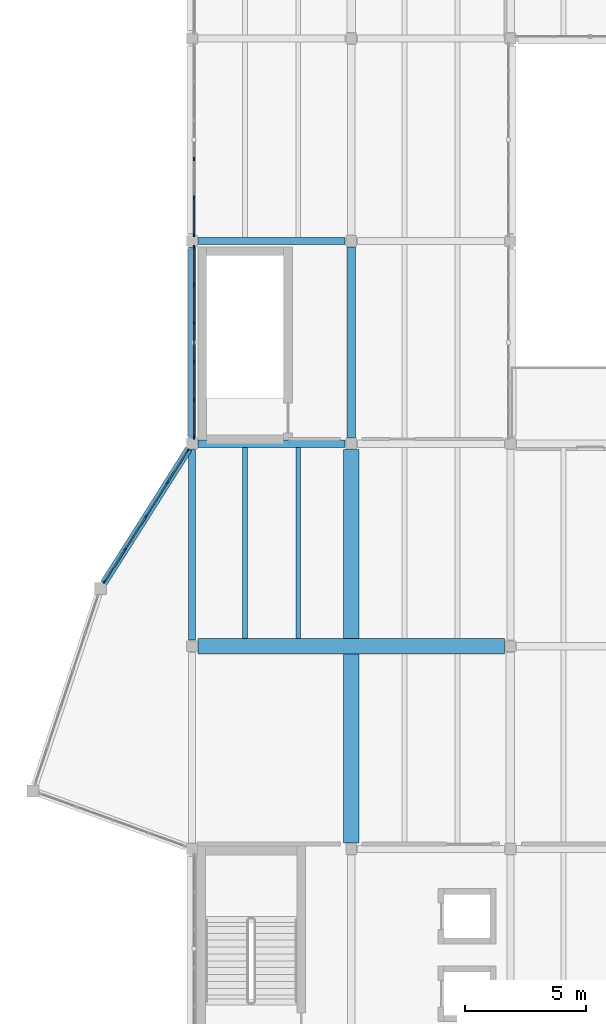
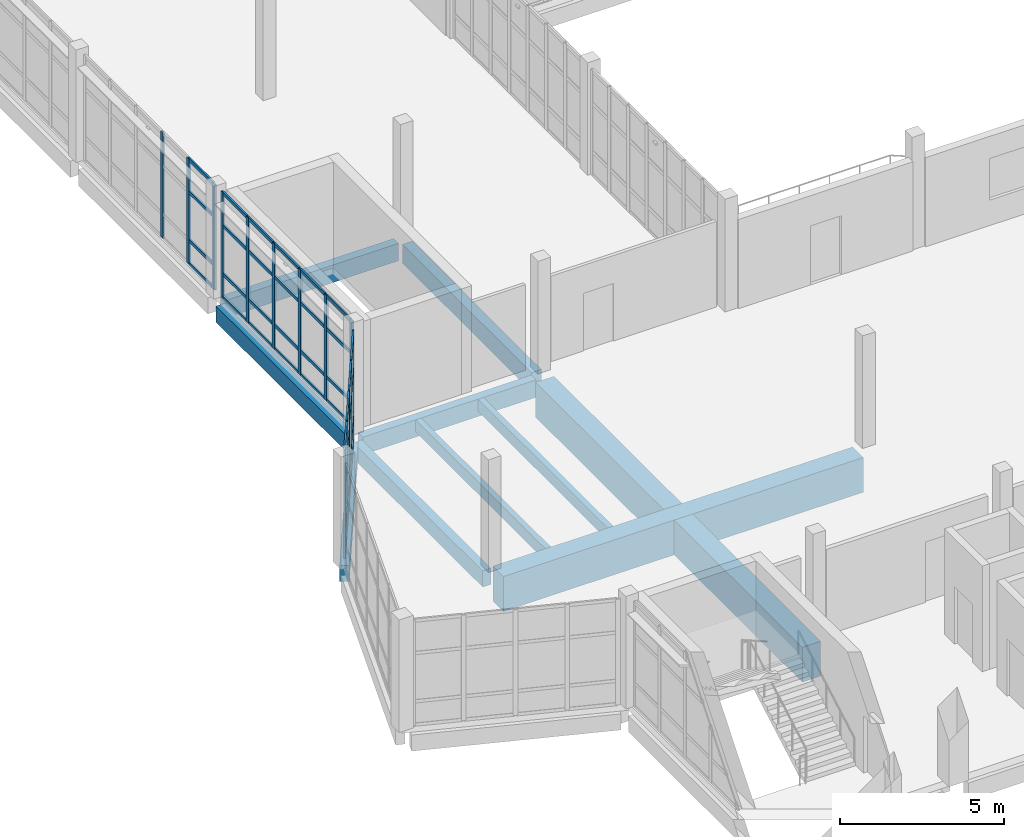
# One storey, part 25 of 74: 54 members, 10 beams, 3 elements without a shape of their own.
"""IFC4 building model written with IfcOpenShell, lengths in metres."""

from ifc_helpers import new_model, si_unit, direction, frame, origin, origin_2d, place, context, subcontext, project, spatial, rectangle, extrude, material, material_profile, profile_set, type_object, element, aggregate, save


model = new_model("IFC4")

# Units and contexts
model_context = context("Model", 3, precision=1e-05, world=origin(), true_north=direction((0.0, 1.0)))
body_context = subcontext(model_context, "Body", "Model", "MODEL_VIEW")
ifc_project = project(units=[si_unit("LENGTHUNIT", "METRE"), si_unit("AREAUNIT", "SQUARE_METRE"), si_unit("VOLUMEUNIT", "CUBIC_METRE"), si_unit("PLANEANGLEUNIT", "RADIAN"), si_unit("MASSUNIT", "GRAM", prefix="KILO")], contexts=[model_context])

# Site, building, storey
site_placement = place(None, origin())
site = spatial("IfcSite", under=ifc_project, at=site_placement, CompositionType="ELEMENT")
building_placement = place(site_placement, origin())
building = spatial("IfcBuilding", under=site, at=building_placement, Name="Qaldarim Faculty of Natural and Applied Sciences", CompositionType="ELEMENT")
storey_placement = place(building_placement, frame((0.0, 0.0, 14.39990234375)))
storey = spatial("IfcBuildingStorey", under=building, at=storey_placement, Name="L03", CompositionType="ELEMENT", Elevation=14.39990234375)

# Beams
ifc_material_1 = material(Name="Concrete C40/50", Category="concrete")
ifc_material_profile_1 = material_profile(ifc_material_1, rectangle(XDim=0.199951171875, YDim=0.449951171875, at=origin_2d()), Name="RC-J200x450")
ifc_profile_set_1 = profile_set([ifc_material_profile_1], Name="Concrete C40/50")
beam_type_1 = type_object("IfcBeamType", Name="LabJoist-RC200x450", PredefinedType="JOIST", material=ifc_profile_set_1)
for number, where, z_axis, x_axis, name in (
    (1, (154.0, 75.925048828125, -0.48486328125), (0.0, 1.0, 0.0), (-1.0, 0.0, 0.0), "Laboratory joist L02 bay X24Y10-1"),
    (2, (156.199951171875, 75.925048828125, -0.48486328125), (0.0, 1.0, 0.0), (-1.0, 0.0, 0.0), "Laboratory joist L02 bay X24Y10-2"),
):
    element("IfcBeam", number, at=place(storey_placement, frame(where, z_axis=z_axis, x_axis=x_axis)), inside=storey, type_object=beam_type_1, Name=name, PredefinedType="JOIST", context=body_context, shape_type="SweptSolid", body=[
        extrude(rectangle(XDim=0.199951171875, YDim=0.449951171875, at=origin_2d()), origin(), (0.0, 0.0, 1.0), 7.925048828125),
    ])

# Curtain wall, members
ifc_material_2 = material(Name="Anodised aluminium AW-6063", Category="aluminium")
curtain_wall_type = type_object("IfcCurtainWallType", Name="CurtainWallSystem-M1600", PredefinedType="USERDEFINED", material=ifc_material_2)
curtain_wall_1_placement = place(storey_placement, origin())
curtain_wall_1 = element("IfcCurtainWall", 3, at=curtain_wall_1_placement, inside=storey, type_object=curtain_wall_type, Name="Curtain wall CW-L03-W-X24Y11", ObjectType="UNITISED FACADE", PredefinedType="USERDEFINED")
ifc_material_profile_2 = material_profile(ifc_material_2, rectangle(XDim=0.06005859375, YDim=0.14990234375, at=origin_2d()), Name="ALU-M60x150")
ifc_profile_set_2 = profile_set([ifc_material_profile_2], Name="Anodised aluminium AW-6063")
member_type_1 = type_object("IfcMemberType", Name="Mullion-ALU60x150", PredefinedType="MULLION", material=ifc_profile_set_2)
member_1_placement = place(storey_placement, frame((151.8798828125, 92.14990234375, 0.0), z_axis=(0.0, 0.0, 1.0), x_axis=(1.0, 0.0, 0.0)))
member_1 = element("IfcMember", 4, at=member_1_placement, type_object=member_type_1, Name="Mullion 1 of CW-L03-W-X24Y11", PredefinedType="MULLION", context=body_context, shape_type="SweptSolid", body=[
    extrude(rectangle(XDim=0.06005859375, YDim=0.14990234375, at=origin_2d()), origin(), (0.0, 0.0, 1.0), 3.940185546875),
])
member_2_placement = place(storey_placement, frame((151.8798828125, 90.587890625, 0.0), z_axis=(0.0, 0.0, 1.0), x_axis=(1.0, 0.0, 0.0)))
member_2 = element("IfcMember", 5, at=member_2_placement, type_object=member_type_1, Name="Mullion 2 of CW-L03-W-X24Y11", PredefinedType="MULLION", context=body_context, shape_type="SweptSolid", body=[
    extrude(rectangle(XDim=0.06005859375, YDim=0.14990234375, at=origin_2d()), origin(), (0.0, 0.0, 1.0), 3.940185546875),
])
member_3_placement = place(storey_placement, frame((151.8798828125, 88.99609375, 0.0), z_axis=(0.0, 0.0, 1.0), x_axis=(1.0, 0.0, 0.0)))
member_3 = element("IfcMember", 6, at=member_3_placement, type_object=member_type_1, Name="Mullion 3 of CW-L03-W-X24Y11", PredefinedType="MULLION", context=body_context, shape_type="SweptSolid", body=[
    extrude(rectangle(XDim=0.06005859375, YDim=0.14990234375, at=origin_2d()), origin(), (0.0, 0.0, 1.0), 3.940185546875),
])
member_4_placement = place(storey_placement, frame((151.8798828125, 87.404052734375, 0.0), z_axis=(0.0, 0.0, 1.0), x_axis=(1.0, 0.0, 0.0)))
member_4 = element("IfcMember", 7, at=member_4_placement, type_object=member_type_1, Name="Mullion 4 of CW-L03-W-X24Y11", PredefinedType="MULLION", context=body_context, shape_type="SweptSolid", body=[
    extrude(rectangle(XDim=0.06005859375, YDim=0.14990234375, at=origin_2d()), origin(), (0.0, 0.0, 1.0), 3.940185546875),
])
member_5_placement = place(storey_placement, frame((151.8798828125, 85.81201171875, 0.0), z_axis=(0.0, 0.0, 1.0), x_axis=(1.0, 0.0, 0.0)))
member_5 = element("IfcMember", 8, at=member_5_placement, type_object=member_type_1, Name="Mullion 5 of CW-L03-W-X24Y11", PredefinedType="MULLION", context=body_context, shape_type="SweptSolid", body=[
    extrude(rectangle(XDim=0.06005859375, YDim=0.14990234375, at=origin_2d()), origin(), (0.0, 0.0, 1.0), 3.940185546875),
])
member_6_placement = place(storey_placement, frame((151.8798828125, 84.25, 0.0), z_axis=(0.0, 0.0, 1.0), x_axis=(1.0, 0.0, 0.0)))
member_6 = element("IfcMember", 9, at=member_6_placement, type_object=member_type_1, Name="Mullion 6 of CW-L03-W-X24Y11", PredefinedType="MULLION", context=body_context, shape_type="SweptSolid", body=[
    extrude(rectangle(XDim=0.06005859375, YDim=0.14990234375, at=origin_2d()), origin(), (0.0, 0.0, 1.0), 3.940185546875),
])

curtain_wall_2_placement = place(storey_placement, origin())
curtain_wall_2 = element("IfcCurtainWall", 10, at=curtain_wall_2_placement, inside=storey, type_object=curtain_wall_type, Name="Curtain wall CW-L03-W-X24Y12", ObjectType="UNITISED FACADE", PredefinedType="USERDEFINED")
member_7_placement = place(storey_placement, frame((151.8798828125, 95.803955078125, 0.0), z_axis=(0.0, 0.0, 1.0), x_axis=(1.0, 0.0, 0.0)))
member_7 = element("IfcMember", 11, at=member_7_placement, type_object=member_type_1, Name="Mullion 4 of CW-L03-W-X24Y12", PredefinedType="MULLION", context=body_context, shape_type="SweptSolid", body=[
    extrude(rectangle(XDim=0.06005859375, YDim=0.14990234375, at=origin_2d()), origin(), (0.0, 0.0, 1.0), 3.940185546875),
])
member_8_placement = place(storey_placement, frame((151.8798828125, 94.2119140625, 0.0), z_axis=(0.0, 0.0, 1.0), x_axis=(1.0, 0.0, 0.0)))
member_8 = element("IfcMember", 12, at=member_8_placement, type_object=member_type_1, Name="Mullion 5 of CW-L03-W-X24Y12", PredefinedType="MULLION", context=body_context, shape_type="SweptSolid", body=[
    extrude(rectangle(XDim=0.06005859375, YDim=0.14990234375, at=origin_2d()), origin(), (0.0, 0.0, 1.0), 3.940185546875),
])
member_9_placement = place(storey_placement, frame((151.8798828125, 92.64990234375, 0.0), z_axis=(0.0, 0.0, 1.0), x_axis=(1.0, 0.0, 0.0)))
member_9 = element("IfcMember", 13, at=member_9_placement, type_object=member_type_1, Name="Mullion 6 of CW-L03-W-X24Y12", PredefinedType="MULLION", context=body_context, shape_type="SweptSolid", body=[
    extrude(rectangle(XDim=0.06005859375, YDim=0.14990234375, at=origin_2d()), origin(), (0.0, 0.0, 1.0), 3.940185546875),
])

curtain_wall_3_placement = place(storey_placement, origin())
curtain_wall_3 = element("IfcCurtainWall", 14, at=curtain_wall_3_placement, inside=storey, type_object=curtain_wall_type, Name="Curtain wall CW-PROW-L03-1", ObjectType="UNITISED FACADE", PredefinedType="USERDEFINED")
member_10_placement = place(storey_placement, frame((151.623779296875, 83.7197265625, 0.0), z_axis=(0.0, 0.0, 1.0), x_axis=(0.844608368004, -0.535384632481, 0.0)))
member_10 = element("IfcMember", 15, at=member_10_placement, type_object=member_type_1, Name="Mullion 1 of CW-PROW-L03-1", PredefinedType="MULLION", context=body_context, shape_type="SweptSolid", body=[
    extrude(rectangle(XDim=0.06005859375, YDim=0.14990234375, at=origin_2d()), origin(), (0.0, 0.0, 1.0), 3.940185546875),
])
member_11_placement = place(storey_placement, frame((150.77001953125, 82.37255859375, 0.0), z_axis=(0.0, 0.0, 1.0), x_axis=(0.844608368004, -0.535384632481, 0.0)))
member_11 = element("IfcMember", 16, at=member_11_placement, type_object=member_type_1, Name="Mullion 2 of CW-PROW-L03-1", PredefinedType="MULLION", context=body_context, shape_type="SweptSolid", body=[
    extrude(rectangle(XDim=0.06005859375, YDim=0.14990234375, at=origin_2d()), origin(), (0.0, 0.0, 1.0), 3.940185546875),
])
member_12_placement = place(storey_placement, frame((149.89990234375, 81.0, 0.0), z_axis=(0.0, 0.0, 1.0), x_axis=(0.844608368004, -0.535384632481, 0.0)))
member_12 = element("IfcMember", 17, at=member_12_placement, type_object=member_type_1, Name="Mullion 3 of CW-PROW-L03-1", PredefinedType="MULLION", context=body_context, shape_type="SweptSolid", body=[
    extrude(rectangle(XDim=0.06005859375, YDim=0.14990234375, at=origin_2d()), origin(), (0.0, 0.0, 1.0), 3.940185546875),
])
member_13_placement = place(storey_placement, frame((149.030029296875, 79.62744140625, 0.0), z_axis=(0.0, 0.0, 1.0), x_axis=(0.844608368004, -0.535384632481, 0.0)))
member_13 = element("IfcMember", 18, at=member_13_placement, type_object=member_type_1, Name="Mullion 4 of CW-PROW-L03-1", PredefinedType="MULLION", context=body_context, shape_type="SweptSolid", body=[
    extrude(rectangle(XDim=0.06005859375, YDim=0.14990234375, at=origin_2d()), origin(), (0.0, 0.0, 1.0), 3.940185546875),
])
member_14_placement = place(storey_placement, frame((148.176025390625, 78.2802734375, 0.0), z_axis=(0.0, 0.0, 1.0), x_axis=(0.844608368004, -0.535384632481, 0.0)))
member_14 = element("IfcMember", 19, at=member_14_placement, type_object=member_type_1, Name="Mullion 5 of CW-PROW-L03-1", PredefinedType="MULLION", context=body_context, shape_type="SweptSolid", body=[
    extrude(rectangle(XDim=0.06005859375, YDim=0.14990234375, at=origin_2d()), origin(), (0.0, 0.0, 1.0), 3.940185546875),
])

# Beams
ifc_material_profile_3 = material_profile(ifc_material_1, rectangle(XDim=0.300048828125, YDim=0.64990234375, at=origin_2d()), Name="RC-B300x650")
ifc_profile_set_3 = profile_set([ifc_material_profile_3], Name="Concrete C40/50")
beam_type_2 = type_object("IfcBeamType", Name="PrimaryBeam-RC300x650", PredefinedType="BEAM", material=ifc_profile_set_3)
for number, where, z_axis, x_axis, name in (
    (20, (152.050048828125, 84.0, -0.5849609375), (1.0, 0.0, 0.0), (0.0, 1.0, 0.0), "Beam RC-B300x650 L02 X24-X25/Y11"),
    (21, (152.050048828125, 92.39990234375, -0.5849609375), (1.0, 0.0, 0.0), (0.0, 1.0, 0.0), "Beam RC-B300x650 L02 X24-X25/Y12"),
):
    element("IfcBeam", number, at=place(storey_placement, frame(where, z_axis=z_axis, x_axis=x_axis)), inside=storey, type_object=beam_type_2, Name=name, PredefinedType="BEAM", context=body_context, shape_type="SweptSolid", body=[
        extrude(rectangle(XDim=0.300048828125, YDim=0.64990234375, at=origin_2d()), origin(), (0.0, 0.0, 1.0), 6.099853515625),
    ])
ifc_material_profile_4 = material_profile(ifc_material_1, rectangle(XDim=0.35009765625, YDim=0.699951171875, at=origin_2d()), Name="RC-B350x700")
ifc_profile_set_4 = profile_set([ifc_material_profile_4], Name="Concrete C40/50")
beam_type_3 = type_object("IfcBeamType", Name="PrimaryGirder-RC350x700", PredefinedType="BEAM", material=ifc_profile_set_4)
beam_1_placement = place(storey_placement, frame((158.39990234375, 84.25, -0.60986328125), z_axis=(0.0, 1.0, 0.0), x_axis=(-1.0, 0.0, 0.0)))
element("IfcBeam", 22, at=beam_1_placement, inside=storey, type_object=beam_type_3, Name="Beam RC-B350x700 L02 X25/Y11-Y12", PredefinedType="BEAM", context=body_context, shape_type="SweptSolid", body=[
    extrude(rectangle(XDim=0.35009765625, YDim=0.699951171875, at=origin_2d()), origin(), (0.0, 0.0, 1.0), 7.89990234375),
])
ifc_material_3 = material(Name="Precast concrete C40/50", Category="concrete")
ifc_material_profile_5 = material_profile(ifc_material_3, rectangle(XDim=0.300048828125, YDim=0.60009765625, at=origin_2d()), Name="RC-SP300x600")
ifc_profile_set_5 = profile_set([ifc_material_profile_5], Name="Precast concrete C40/50")
beam_type_4 = type_object("IfcBeamType", Name="SpandrelBeam-RC300x600", PredefinedType="SPANDREL", material=ifc_profile_set_5)
for number, where, z_axis, x_axis, name in (
    (23, (151.800048828125, 75.85009765625, -0.559814453125), (0.0, 1.0, 0.0), (-1.0, 0.0, 0.0), "Beam RC-SP300x600 L02 X24/Y10-Y11"),
    (24, (151.800048828125, 84.25, -0.559814453125), (0.0, 1.0, 0.0), (-1.0, 0.0, 0.0), "Beam RC-SP300x600 L02 X24/Y11-Y12"),
):
    element("IfcBeam", number, at=place(storey_placement, frame(where, z_axis=z_axis, x_axis=x_axis)), inside=storey, type_object=beam_type_4, Name=name, PredefinedType="SPANDREL", context=body_context, shape_type="SweptSolid", body=[
        extrude(rectangle(XDim=0.300048828125, YDim=0.60009765625, at=origin_2d()), origin(), (0.0, 0.0, 1.0), 7.89990234375),
    ])
beam_2_placement = place(storey_placement, frame((148.139892578125, 78.219970703125, -0.559814453125), z_axis=(0.534905556702, 0.844911856592, 0.0), x_axis=(-0.844911856592, 0.534905556702, 0.0)))
element("IfcBeam", 25, at=beam_2_placement, inside=storey, type_object=beam_type_4, Name="Learning Commons angled prow spandrel L02 3", PredefinedType="SPANDREL", context=body_context, shape_type="SweptSolid", body=[
    extrude(rectangle(XDim=0.300048828125, YDim=0.60009765625, at=origin_2d()), origin(), (0.0, 0.0, 1.0), 6.58056640625),
])
ifc_material_4 = material(Name="Concrete C50/60", Category="concrete")
ifc_material_profile_6 = material_profile(ifc_material_4, rectangle(XDim=0.64990234375, YDim=1.300048828125, at=origin_2d()), Name="RC-TG650x1300")
ifc_profile_set_6 = profile_set([ifc_material_profile_6], Name="Concrete C50/60")
beam_type_5 = type_object("IfcBeamType", Name="TransferGirder-RC650x1300", PredefinedType="BEAM", material=ifc_profile_set_6)
beam_3_placement = place(storey_placement, frame((152.050048828125, 75.60009765625, -0.909912109375), z_axis=(1.0, 0.0, 0.0), x_axis=(0.0, 1.0, 0.0)))
element("IfcBeam", 26, at=beam_3_placement, inside=storey, type_object=beam_type_5, Name="Long-span girder L02 Y10 X24-X26", PredefinedType="BEAM", context=body_context, shape_type="SweptSolid", body=[
    extrude(rectangle(XDim=0.64990234375, YDim=1.300048828125, at=origin_2d()), origin(), (0.0, 0.0, 1.0), 12.699951171875),
])
beam_4_placement = place(storey_placement, frame((158.39990234375, 67.449951171875, -0.909912109375), z_axis=(0.0, 1.0, 0.0), x_axis=(-1.0, 0.0, 0.0)))
element("IfcBeam", 27, at=beam_4_placement, inside=storey, type_object=beam_type_5, Name="Long-span girder L02 X25 Y09-Y11", PredefinedType="BEAM", context=body_context, shape_type="SweptSolid", body=[
    extrude(rectangle(XDim=0.64990234375, YDim=1.300048828125, at=origin_2d()), origin(), (0.0, 0.0, 1.0), 16.300048828125),
])

# Member
ifc_material_profile_7 = material_profile(ifc_material_2, rectangle(XDim=0.06005859375, YDim=0.1201171875, at=origin_2d()), Name="ALU-T60x120")
ifc_profile_set_7 = profile_set([ifc_material_profile_7], Name="Anodised aluminium AW-6063")
member_type_2 = type_object("IfcMemberType", Name="Transom-ALU60x120", PredefinedType="USERDEFINED", material=ifc_profile_set_7)
member_15_placement = place(storey_placement, frame((151.8798828125, 92.1201171875, 0.030029296875), z_axis=(0.0, -1.0, 0.0), x_axis=(1.0, 0.0, 0.0)))
member_15 = element("IfcMember", 28, at=member_15_placement, type_object=member_type_2, Name="Transom 1-1 of CW-L03-W-X24Y11", ObjectType="TRANSOM", PredefinedType="USERDEFINED", context=body_context, shape_type="SweptSolid", body=[
    extrude(rectangle(XDim=0.06005859375, YDim=0.1201171875, at=origin_2d()), origin(), (0.0, 0.0, 1.0), 1.502197265625),
])

member_16_placement = place(storey_placement, frame((151.8798828125, 92.1201171875, 0.900146484375), z_axis=(0.0, -1.0, 0.0), x_axis=(1.0, 0.0, 0.0)))
member_16 = element("IfcMember", 29, at=member_16_placement, type_object=member_type_2, Name="Transom 1-2 of CW-L03-W-X24Y11", ObjectType="TRANSOM", PredefinedType="USERDEFINED", context=body_context, shape_type="SweptSolid", body=[
    extrude(rectangle(XDim=0.06005859375, YDim=0.1201171875, at=origin_2d()), origin(), (0.0, 0.0, 1.0), 1.502197265625),
])

member_17_placement = place(storey_placement, frame((151.8798828125, 92.1201171875, 2.7001953125), z_axis=(0.0, -1.0, 0.0), x_axis=(1.0, 0.0, 0.0)))
member_17 = element("IfcMember", 30, at=member_17_placement, type_object=member_type_2, Name="Transom 1-3 of CW-L03-W-X24Y11", ObjectType="TRANSOM", PredefinedType="USERDEFINED", context=body_context, shape_type="SweptSolid", body=[
    extrude(rectangle(XDim=0.06005859375, YDim=0.1201171875, at=origin_2d()), origin(), (0.0, 0.0, 1.0), 1.502197265625),
])

member_18_placement = place(storey_placement, frame((151.8798828125, 92.1201171875, 3.91015625), z_axis=(0.0, -1.0, 0.0), x_axis=(1.0, 0.0, 0.0)))
member_18 = element("IfcMember", 31, at=member_18_placement, type_object=member_type_2, Name="Transom 1-4 of CW-L03-W-X24Y11", ObjectType="TRANSOM", PredefinedType="USERDEFINED", context=body_context, shape_type="SweptSolid", body=[
    extrude(rectangle(XDim=0.06005859375, YDim=0.1201171875, at=origin_2d()), origin(), (0.0, 0.0, 1.0), 1.502197265625),
])

member_19_placement = place(storey_placement, frame((151.8798828125, 90.55810546875, 0.030029296875), z_axis=(0.0, -1.0, 0.0), x_axis=(1.0, 0.0, 0.0)))
member_19 = element("IfcMember", 32, at=member_19_placement, type_object=member_type_2, Name="Transom 2-1 of CW-L03-W-X24Y11", ObjectType="TRANSOM", PredefinedType="USERDEFINED", context=body_context, shape_type="SweptSolid", body=[
    extrude(rectangle(XDim=0.06005859375, YDim=0.1201171875, at=origin_2d()), origin(), (0.0, 0.0, 1.0), 1.5322265625),
])

member_20_placement = place(storey_placement, frame((151.8798828125, 90.55810546875, 0.900146484375), z_axis=(0.0, -1.0, 0.0), x_axis=(1.0, 0.0, 0.0)))
member_20 = element("IfcMember", 33, at=member_20_placement, type_object=member_type_2, Name="Transom 2-2 of CW-L03-W-X24Y11", ObjectType="TRANSOM", PredefinedType="USERDEFINED", context=body_context, shape_type="SweptSolid", body=[
    extrude(rectangle(XDim=0.06005859375, YDim=0.1201171875, at=origin_2d()), origin(), (0.0, 0.0, 1.0), 1.5322265625),
])

member_21_placement = place(storey_placement, frame((151.8798828125, 90.55810546875, 2.7001953125), z_axis=(0.0, -1.0, 0.0), x_axis=(1.0, 0.0, 0.0)))
member_21 = element("IfcMember", 34, at=member_21_placement, type_object=member_type_2, Name="Transom 2-3 of CW-L03-W-X24Y11", ObjectType="TRANSOM", PredefinedType="USERDEFINED", context=body_context, shape_type="SweptSolid", body=[
    extrude(rectangle(XDim=0.06005859375, YDim=0.1201171875, at=origin_2d()), origin(), (0.0, 0.0, 1.0), 1.5322265625),
])

member_22_placement = place(storey_placement, frame((151.8798828125, 90.55810546875, 3.91015625), z_axis=(0.0, -1.0, 0.0), x_axis=(1.0, 0.0, 0.0)))
member_22 = element("IfcMember", 35, at=member_22_placement, type_object=member_type_2, Name="Transom 2-4 of CW-L03-W-X24Y11", ObjectType="TRANSOM", PredefinedType="USERDEFINED", context=body_context, shape_type="SweptSolid", body=[
    extrude(rectangle(XDim=0.06005859375, YDim=0.1201171875, at=origin_2d()), origin(), (0.0, 0.0, 1.0), 1.5322265625),
])

member_23_placement = place(storey_placement, frame((151.8798828125, 88.966064453125, 0.030029296875), z_axis=(0.0, -1.0, 0.0), x_axis=(1.0, 0.0, 0.0)))
member_23 = element("IfcMember", 36, at=member_23_placement, type_object=member_type_2, Name="Transom 3-1 of CW-L03-W-X24Y11", ObjectType="TRANSOM", PredefinedType="USERDEFINED", context=body_context, shape_type="SweptSolid", body=[
    extrude(rectangle(XDim=0.06005859375, YDim=0.1201171875, at=origin_2d()), origin(), (0.0, 0.0, 1.0), 1.531982421875),
])

member_24_placement = place(storey_placement, frame((151.8798828125, 88.966064453125, 0.900146484375), z_axis=(0.0, -1.0, 0.0), x_axis=(1.0, 0.0, 0.0)))
member_24 = element("IfcMember", 37, at=member_24_placement, type_object=member_type_2, Name="Transom 3-2 of CW-L03-W-X24Y11", ObjectType="TRANSOM", PredefinedType="USERDEFINED", context=body_context, shape_type="SweptSolid", body=[
    extrude(rectangle(XDim=0.06005859375, YDim=0.1201171875, at=origin_2d()), origin(), (0.0, 0.0, 1.0), 1.531982421875),
])

member_25_placement = place(storey_placement, frame((151.8798828125, 88.966064453125, 2.7001953125), z_axis=(0.0, -1.0, 0.0), x_axis=(1.0, 0.0, 0.0)))
member_25 = element("IfcMember", 38, at=member_25_placement, type_object=member_type_2, Name="Transom 3-3 of CW-L03-W-X24Y11", ObjectType="TRANSOM", PredefinedType="USERDEFINED", context=body_context, shape_type="SweptSolid", body=[
    extrude(rectangle(XDim=0.06005859375, YDim=0.1201171875, at=origin_2d()), origin(), (0.0, 0.0, 1.0), 1.531982421875),
])

member_26_placement = place(storey_placement, frame((151.8798828125, 88.966064453125, 3.91015625), z_axis=(0.0, -1.0, 0.0), x_axis=(1.0, 0.0, 0.0)))
member_26 = element("IfcMember", 39, at=member_26_placement, type_object=member_type_2, Name="Transom 3-4 of CW-L03-W-X24Y11", ObjectType="TRANSOM", PredefinedType="USERDEFINED", context=body_context, shape_type="SweptSolid", body=[
    extrude(rectangle(XDim=0.06005859375, YDim=0.1201171875, at=origin_2d()), origin(), (0.0, 0.0, 1.0), 1.531982421875),
])

member_27_placement = place(storey_placement, frame((151.8798828125, 87.3740234375, 0.030029296875), z_axis=(0.0, -1.0, 0.0), x_axis=(1.0, 0.0, 0.0)))
member_27 = element("IfcMember", 40, at=member_27_placement, type_object=member_type_2, Name="Transom 4-1 of CW-L03-W-X24Y11", ObjectType="TRANSOM", PredefinedType="USERDEFINED", context=body_context, shape_type="SweptSolid", body=[
    extrude(rectangle(XDim=0.06005859375, YDim=0.1201171875, at=origin_2d()), origin(), (0.0, 0.0, 1.0), 1.531982421875),
])

member_28_placement = place(storey_placement, frame((151.8798828125, 87.3740234375, 0.900146484375), z_axis=(0.0, -1.0, 0.0), x_axis=(1.0, 0.0, 0.0)))
member_28 = element("IfcMember", 41, at=member_28_placement, type_object=member_type_2, Name="Transom 4-2 of CW-L03-W-X24Y11", ObjectType="TRANSOM", PredefinedType="USERDEFINED", context=body_context, shape_type="SweptSolid", body=[
    extrude(rectangle(XDim=0.06005859375, YDim=0.1201171875, at=origin_2d()), origin(), (0.0, 0.0, 1.0), 1.531982421875),
])

member_29_placement = place(storey_placement, frame((151.8798828125, 87.3740234375, 2.7001953125), z_axis=(0.0, -1.0, 0.0), x_axis=(1.0, 0.0, 0.0)))
member_29 = element("IfcMember", 42, at=member_29_placement, type_object=member_type_2, Name="Transom 4-3 of CW-L03-W-X24Y11", ObjectType="TRANSOM", PredefinedType="USERDEFINED", context=body_context, shape_type="SweptSolid", body=[
    extrude(rectangle(XDim=0.06005859375, YDim=0.1201171875, at=origin_2d()), origin(), (0.0, 0.0, 1.0), 1.531982421875),
])

member_30_placement = place(storey_placement, frame((151.8798828125, 87.3740234375, 3.91015625), z_axis=(0.0, -1.0, 0.0), x_axis=(1.0, 0.0, 0.0)))
member_30 = element("IfcMember", 43, at=member_30_placement, type_object=member_type_2, Name="Transom 4-4 of CW-L03-W-X24Y11", ObjectType="TRANSOM", PredefinedType="USERDEFINED", context=body_context, shape_type="SweptSolid", body=[
    extrude(rectangle(XDim=0.06005859375, YDim=0.1201171875, at=origin_2d()), origin(), (0.0, 0.0, 1.0), 1.531982421875),
])

member_31_placement = place(storey_placement, frame((151.8798828125, 85.781982421875, 0.030029296875), z_axis=(0.0, -1.0, 0.0), x_axis=(1.0, 0.0, 0.0)))
member_31 = element("IfcMember", 44, at=member_31_placement, type_object=member_type_2, Name="Transom 5-1 of CW-L03-W-X24Y11", ObjectType="TRANSOM", PredefinedType="USERDEFINED", context=body_context, shape_type="SweptSolid", body=[
    extrude(rectangle(XDim=0.06005859375, YDim=0.1201171875, at=origin_2d()), origin(), (0.0, 0.0, 1.0), 1.501953125),
])

member_32_placement = place(storey_placement, frame((151.8798828125, 85.781982421875, 0.900146484375), z_axis=(0.0, -1.0, 0.0), x_axis=(1.0, 0.0, 0.0)))
member_32 = element("IfcMember", 45, at=member_32_placement, type_object=member_type_2, Name="Transom 5-2 of CW-L03-W-X24Y11", ObjectType="TRANSOM", PredefinedType="USERDEFINED", context=body_context, shape_type="SweptSolid", body=[
    extrude(rectangle(XDim=0.06005859375, YDim=0.1201171875, at=origin_2d()), origin(), (0.0, 0.0, 1.0), 1.501953125),
])

member_33_placement = place(storey_placement, frame((151.8798828125, 85.781982421875, 2.7001953125), z_axis=(0.0, -1.0, 0.0), x_axis=(1.0, 0.0, 0.0)))
member_33 = element("IfcMember", 46, at=member_33_placement, type_object=member_type_2, Name="Transom 5-3 of CW-L03-W-X24Y11", ObjectType="TRANSOM", PredefinedType="USERDEFINED", context=body_context, shape_type="SweptSolid", body=[
    extrude(rectangle(XDim=0.06005859375, YDim=0.1201171875, at=origin_2d()), origin(), (0.0, 0.0, 1.0), 1.501953125),
])

member_34_placement = place(storey_placement, frame((151.8798828125, 85.781982421875, 3.91015625), z_axis=(0.0, -1.0, 0.0), x_axis=(1.0, 0.0, 0.0)))
member_34 = element("IfcMember", 47, at=member_34_placement, type_object=member_type_2, Name="Transom 5-4 of CW-L03-W-X24Y11", ObjectType="TRANSOM", PredefinedType="USERDEFINED", context=body_context, shape_type="SweptSolid", body=[
    extrude(rectangle(XDim=0.06005859375, YDim=0.1201171875, at=origin_2d()), origin(), (0.0, 0.0, 1.0), 1.501953125),
])

aggregate(curtain_wall_1, [member_1, member_2, member_3, member_4, member_5, member_6, member_15, member_16, member_17, member_18, member_19, member_20, member_21, member_22, member_23, member_24, member_25, member_26, member_27, member_28, member_29, member_30, member_31, member_32, member_33, member_34])

member_35_placement = place(storey_placement, frame((151.8798828125, 94.181884765625, 0.030029296875), z_axis=(0.0, -1.0, 0.0), x_axis=(1.0, 0.0, 0.0)))
member_35 = element("IfcMember", 48, at=member_35_placement, type_object=member_type_2, Name="Transom 5-1 of CW-L03-W-X24Y12", ObjectType="TRANSOM", PredefinedType="USERDEFINED", context=body_context, shape_type="SweptSolid", body=[
    extrude(rectangle(XDim=0.06005859375, YDim=0.1201171875, at=origin_2d()), origin(), (0.0, 0.0, 1.0), 1.501953125),
])

member_36_placement = place(storey_placement, frame((151.8798828125, 94.181884765625, 0.900146484375), z_axis=(0.0, -1.0, 0.0), x_axis=(1.0, 0.0, 0.0)))
member_36 = element("IfcMember", 49, at=member_36_placement, type_object=member_type_2, Name="Transom 5-2 of CW-L03-W-X24Y12", ObjectType="TRANSOM", PredefinedType="USERDEFINED", context=body_context, shape_type="SweptSolid", body=[
    extrude(rectangle(XDim=0.06005859375, YDim=0.1201171875, at=origin_2d()), origin(), (0.0, 0.0, 1.0), 1.501953125),
])

member_37_placement = place(storey_placement, frame((151.8798828125, 94.181884765625, 2.7001953125), z_axis=(0.0, -1.0, 0.0), x_axis=(1.0, 0.0, 0.0)))
member_37 = element("IfcMember", 50, at=member_37_placement, type_object=member_type_2, Name="Transom 5-3 of CW-L03-W-X24Y12", ObjectType="TRANSOM", PredefinedType="USERDEFINED", context=body_context, shape_type="SweptSolid", body=[
    extrude(rectangle(XDim=0.06005859375, YDim=0.1201171875, at=origin_2d()), origin(), (0.0, 0.0, 1.0), 1.501953125),
])

member_38_placement = place(storey_placement, frame((151.8798828125, 94.181884765625, 3.91015625), z_axis=(0.0, -1.0, 0.0), x_axis=(1.0, 0.0, 0.0)))
member_38 = element("IfcMember", 51, at=member_38_placement, type_object=member_type_2, Name="Transom 5-4 of CW-L03-W-X24Y12", ObjectType="TRANSOM", PredefinedType="USERDEFINED", context=body_context, shape_type="SweptSolid", body=[
    extrude(rectangle(XDim=0.06005859375, YDim=0.1201171875, at=origin_2d()), origin(), (0.0, 0.0, 1.0), 1.501953125),
])

aggregate(curtain_wall_2, [member_7, member_8, member_9, member_35, member_36, member_37, member_38])

member_39_placement = place(storey_placement, frame((151.60791015625, 83.6943359375, 0.030029296875), z_axis=(-0.535320690272, -0.844648896623, 0.0), x_axis=(0.844648896623, -0.535320690272, 0.0)))
member_39 = element("IfcMember", 52, at=member_39_placement, type_object=member_type_2, Name="Transom 1-1 of CW-PROW-L03-1", ObjectType="TRANSOM", PredefinedType="USERDEFINED", context=body_context, shape_type="SweptSolid", body=[
    extrude(rectangle(XDim=0.06005859375, YDim=0.1201171875, at=origin_2d()), origin(), (0.0, 0.0, 1.0), 1.53515625),
])

member_40_placement = place(storey_placement, frame((151.60791015625, 83.6943359375, 0.900146484375), z_axis=(-0.535320690272, -0.844648896623, 0.0), x_axis=(0.844648896623, -0.535320690272, 0.0)))
member_40 = element("IfcMember", 53, at=member_40_placement, type_object=member_type_2, Name="Transom 1-2 of CW-PROW-L03-1", ObjectType="TRANSOM", PredefinedType="USERDEFINED", context=body_context, shape_type="SweptSolid", body=[
    extrude(rectangle(XDim=0.06005859375, YDim=0.1201171875, at=origin_2d()), origin(), (0.0, 0.0, 1.0), 1.53515625),
])

member_41_placement = place(storey_placement, frame((151.60791015625, 83.6943359375, 2.7001953125), z_axis=(-0.535320690272, -0.844648896623, 0.0), x_axis=(0.844648896623, -0.535320690272, 0.0)))
member_41 = element("IfcMember", 54, at=member_41_placement, type_object=member_type_2, Name="Transom 1-3 of CW-PROW-L03-1", ObjectType="TRANSOM", PredefinedType="USERDEFINED", context=body_context, shape_type="SweptSolid", body=[
    extrude(rectangle(XDim=0.06005859375, YDim=0.1201171875, at=origin_2d()), origin(), (0.0, 0.0, 1.0), 1.53515625),
])

member_42_placement = place(storey_placement, frame((151.60791015625, 83.6943359375, 3.91015625), z_axis=(-0.535320690272, -0.844648896623, 0.0), x_axis=(0.844648896623, -0.535320690272, 0.0)))
member_42 = element("IfcMember", 55, at=member_42_placement, type_object=member_type_2, Name="Transom 1-4 of CW-PROW-L03-1", ObjectType="TRANSOM", PredefinedType="USERDEFINED", context=body_context, shape_type="SweptSolid", body=[
    extrude(rectangle(XDim=0.06005859375, YDim=0.1201171875, at=origin_2d()), origin(), (0.0, 0.0, 1.0), 1.53515625),
])

member_43_placement = place(storey_placement, frame((150.75390625, 82.34716796875, 0.030029296875), z_axis=(-0.535400907346, -0.844598051391, 0.0), x_axis=(0.844598051391, -0.535400907346, 0.0)))
member_43 = element("IfcMember", 56, at=member_43_placement, type_object=member_type_2, Name="Transom 2-1 of CW-PROW-L03-1", ObjectType="TRANSOM", PredefinedType="USERDEFINED", context=body_context, shape_type="SweptSolid", body=[
    extrude(rectangle(XDim=0.06005859375, YDim=0.1201171875, at=origin_2d()), origin(), (0.0, 0.0, 1.0), 1.56494140625),
])

member_44_placement = place(storey_placement, frame((150.75390625, 82.34716796875, 0.900146484375), z_axis=(-0.535400907346, -0.844598051391, 0.0), x_axis=(0.844598051391, -0.535400907346, 0.0)))
member_44 = element("IfcMember", 57, at=member_44_placement, type_object=member_type_2, Name="Transom 2-2 of CW-PROW-L03-1", ObjectType="TRANSOM", PredefinedType="USERDEFINED", context=body_context, shape_type="SweptSolid", body=[
    extrude(rectangle(XDim=0.06005859375, YDim=0.1201171875, at=origin_2d()), origin(), (0.0, 0.0, 1.0), 1.56494140625),
])

member_45_placement = place(storey_placement, frame((150.75390625, 82.34716796875, 2.7001953125), z_axis=(-0.535400907346, -0.844598051391, 0.0), x_axis=(0.844598051391, -0.535400907346, 0.0)))
member_45 = element("IfcMember", 58, at=member_45_placement, type_object=member_type_2, Name="Transom 2-3 of CW-PROW-L03-1", ObjectType="TRANSOM", PredefinedType="USERDEFINED", context=body_context, shape_type="SweptSolid", body=[
    extrude(rectangle(XDim=0.06005859375, YDim=0.1201171875, at=origin_2d()), origin(), (0.0, 0.0, 1.0), 1.56494140625),
])

member_46_placement = place(storey_placement, frame((150.75390625, 82.34716796875, 3.91015625), z_axis=(-0.535400907346, -0.844598051391, 0.0), x_axis=(0.844598051391, -0.535400907346, 0.0)))
member_46 = element("IfcMember", 59, at=member_46_placement, type_object=member_type_2, Name="Transom 2-4 of CW-PROW-L03-1", ObjectType="TRANSOM", PredefinedType="USERDEFINED", context=body_context, shape_type="SweptSolid", body=[
    extrude(rectangle(XDim=0.06005859375, YDim=0.1201171875, at=origin_2d()), origin(), (0.0, 0.0, 1.0), 1.56494140625),
])

member_47_placement = place(storey_placement, frame((149.8837890625, 80.974609375, 0.030029296875), z_axis=(-0.535289609596, -0.8446685941, 0.0), x_axis=(0.8446685941, -0.535289609596, 0.0)))
member_47 = element("IfcMember", 60, at=member_47_placement, type_object=member_type_2, Name="Transom 3-1 of CW-PROW-L03-1", ObjectType="TRANSOM", PredefinedType="USERDEFINED", context=body_context, shape_type="SweptSolid", body=[
    extrude(rectangle(XDim=0.06005859375, YDim=0.1201171875, at=origin_2d()), origin(), (0.0, 0.0, 1.0), 1.56494140625),
])

member_48_placement = place(storey_placement, frame((149.8837890625, 80.974609375, 0.900146484375), z_axis=(-0.535289609596, -0.8446685941, 0.0), x_axis=(0.8446685941, -0.535289609596, 0.0)))
member_48 = element("IfcMember", 61, at=member_48_placement, type_object=member_type_2, Name="Transom 3-2 of CW-PROW-L03-1", ObjectType="TRANSOM", PredefinedType="USERDEFINED", context=body_context, shape_type="SweptSolid", body=[
    extrude(rectangle(XDim=0.06005859375, YDim=0.1201171875, at=origin_2d()), origin(), (0.0, 0.0, 1.0), 1.56494140625),
])

member_49_placement = place(storey_placement, frame((149.8837890625, 80.974609375, 2.7001953125), z_axis=(-0.535289609596, -0.8446685941, 0.0), x_axis=(0.8446685941, -0.535289609596, 0.0)))
member_49 = element("IfcMember", 62, at=member_49_placement, type_object=member_type_2, Name="Transom 3-3 of CW-PROW-L03-1", ObjectType="TRANSOM", PredefinedType="USERDEFINED", context=body_context, shape_type="SweptSolid", body=[
    extrude(rectangle(XDim=0.06005859375, YDim=0.1201171875, at=origin_2d()), origin(), (0.0, 0.0, 1.0), 1.56494140625),
])

member_50_placement = place(storey_placement, frame((149.8837890625, 80.974609375, 3.91015625), z_axis=(-0.535289609596, -0.8446685941, 0.0), x_axis=(0.8446685941, -0.535289609596, 0.0)))
member_50 = element("IfcMember", 63, at=member_50_placement, type_object=member_type_2, Name="Transom 3-4 of CW-PROW-L03-1", ObjectType="TRANSOM", PredefinedType="USERDEFINED", context=body_context, shape_type="SweptSolid", body=[
    extrude(rectangle(XDim=0.06005859375, YDim=0.1201171875, at=origin_2d()), origin(), (0.0, 0.0, 1.0), 1.56494140625),
])

member_51_placement = place(storey_placement, frame((149.013916015625, 79.602294921875, 0.030029296875), z_axis=(-0.535320690272, -0.844648896623, 0.0), x_axis=(0.844648896623, -0.535320690272, 0.0)))
member_51 = element("IfcMember", 64, at=member_51_placement, type_object=member_type_2, Name="Transom 4-1 of CW-PROW-L03-1", ObjectType="TRANSOM", PredefinedType="USERDEFINED", context=body_context, shape_type="SweptSolid", body=[
    extrude(rectangle(XDim=0.06005859375, YDim=0.1201171875, at=origin_2d()), origin(), (0.0, 0.0, 1.0), 1.53515625),
])

member_52_placement = place(storey_placement, frame((149.013916015625, 79.602294921875, 0.900146484375), z_axis=(-0.535320690272, -0.844648896623, 0.0), x_axis=(0.844648896623, -0.535320690272, 0.0)))
member_52 = element("IfcMember", 65, at=member_52_placement, type_object=member_type_2, Name="Transom 4-2 of CW-PROW-L03-1", ObjectType="TRANSOM", PredefinedType="USERDEFINED", context=body_context, shape_type="SweptSolid", body=[
    extrude(rectangle(XDim=0.06005859375, YDim=0.1201171875, at=origin_2d()), origin(), (0.0, 0.0, 1.0), 1.53515625),
])

member_53_placement = place(storey_placement, frame((149.013916015625, 79.602294921875, 2.7001953125), z_axis=(-0.535320690272, -0.844648896623, 0.0), x_axis=(0.844648896623, -0.535320690272, 0.0)))
member_53 = element("IfcMember", 66, at=member_53_placement, type_object=member_type_2, Name="Transom 4-3 of CW-PROW-L03-1", ObjectType="TRANSOM", PredefinedType="USERDEFINED", context=body_context, shape_type="SweptSolid", body=[
    extrude(rectangle(XDim=0.06005859375, YDim=0.1201171875, at=origin_2d()), origin(), (0.0, 0.0, 1.0), 1.53515625),
])

member_54_placement = place(storey_placement, frame((149.013916015625, 79.602294921875, 3.91015625), z_axis=(-0.535320690272, -0.844648896623, 0.0), x_axis=(0.844648896623, -0.535320690272, 0.0)))
member_54 = element("IfcMember", 67, at=member_54_placement, type_object=member_type_2, Name="Transom 4-4 of CW-PROW-L03-1", ObjectType="TRANSOM", PredefinedType="USERDEFINED", context=body_context, shape_type="SweptSolid", body=[
    extrude(rectangle(XDim=0.06005859375, YDim=0.1201171875, at=origin_2d()), origin(), (0.0, 0.0, 1.0), 1.53515625),
])

aggregate(curtain_wall_3, [member_10, member_11, member_12, member_13, member_14, member_39, member_40, member_41, member_42, member_43, member_44, member_45, member_46, member_47, member_48, member_49, member_50, member_51, member_52, member_53, member_54])

save(model, "model.ifc")
